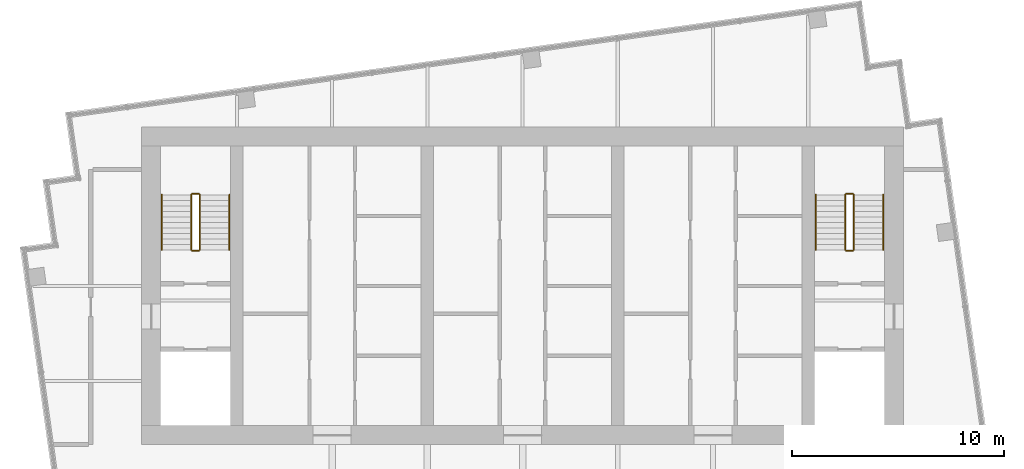
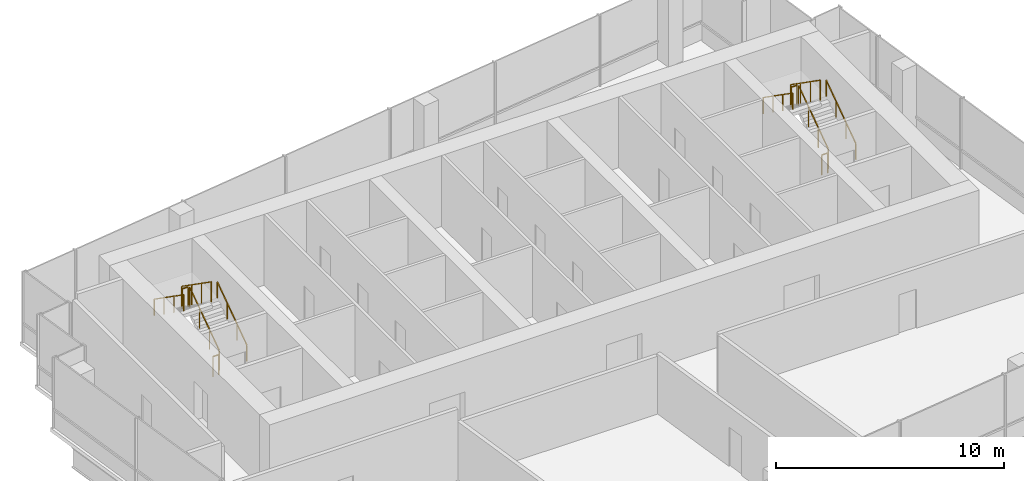
# One storey, part 10 of 10: 12 railings.
"""IFC4 building model written with IfcOpenShell, lengths in metres."""

from ifc_helpers import new_model, si_unit, direction, frame, origin, origin_2d, place, context, subcontext, project, spatial, rectangle, extrude, material, type_object, element, save


model = new_model("IFC4")

# Units and contexts
model_context = context("Model", 3, precision=1e-05, world=origin(), true_north=direction((0.0, 1.0)))
body_context = subcontext(model_context, "Body", "Model", "MODEL_VIEW")
ifc_project = project(units=[si_unit("LENGTHUNIT", "METRE"), si_unit("AREAUNIT", "SQUARE_METRE"), si_unit("VOLUMEUNIT", "CUBIC_METRE"), si_unit("PLANEANGLEUNIT", "RADIAN"), si_unit("MASSUNIT", "GRAM", prefix="KILO")], contexts=[model_context])

# Site, building, storey
site_placement = place(None, origin())
site = spatial("IfcSite", under=ifc_project, at=site_placement, CompositionType="ELEMENT")
building_placement = place(site_placement, origin())
building = spatial("IfcBuilding", under=site, at=building_placement, Name="Rattan Terrace Tower", CompositionType="ELEMENT")
storey_placement = place(building_placement, frame((0.0, 0.0, 300.300048828125)))
storey = spatial("IfcBuildingStorey", under=building, at=storey_placement, Name="C03", CompositionType="ELEMENT", Elevation=300.300048828125)

# Railings
ifc_material_1 = material(Name="Powder-coated steel guard", Category="steel")
railing_type_1 = type_object("IfcRailingType", Name="Core stair guard", PredefinedType="GUARDRAIL", material=ifc_material_1)
railing_1_placement = place(storey_placement, frame((-15.25, 1.699951171875, 0.181884765625)))
element("IfcRailing", 1, at=railing_1_placement, inside=storey, type_object=railing_type_1, Name="C03 S1 stair guard 1", PredefinedType="GUARDRAIL", context=body_context, shape_type="SweptSolid", body=[
    extrude(rectangle(XDim=0.048095703125, YDim=0.048095703125, at=origin_2d()), frame((0.0, 0.0, 1.076171875), z_axis=(0.0, 0.819521025635, 0.573049115296), x_axis=(-1.0, 0.0, 0.0)), (0.0, 0.0, 1.0), 3.172607421875),
    extrude(rectangle(XDim=0.0419921875, YDim=0.0419921875, at=origin_2d()), origin(), (0.0, 0.0, 1.0), 1.052001953125),
    extrude(rectangle(XDim=0.0419921875, YDim=0.0419921875, at=origin_2d()), frame((0.0, 0.86669921875, 0.60595703125)), (0.0, 0.0, 1.0), 1.052001953125),
    extrude(rectangle(XDim=0.0419921875, YDim=0.0419921875, at=origin_2d()), frame((0.0, 1.7333984375, 1.212158203125)), (0.0, 0.0, 1.0), 1.052001953125),
    extrude(rectangle(XDim=0.0419921875, YDim=0.0419921875, at=origin_2d()), frame((0.0, 2.60009765625, 1.818115234375)), (0.0, 0.0, 1.0), 1.052001953125),
])
railing_2_placement = place(storey_placement, frame((-15.300048828125, 4.35009765625, 2.0)))
element("IfcRailing", 2, at=railing_2_placement, inside=storey, type_object=railing_type_1, Name="C03 S1 stair guard 2", PredefinedType="GUARDRAIL", context=body_context, shape_type="SweptSolid", body=[
    extrude(rectangle(XDim=0.048095703125, YDim=0.048095703125, at=origin_2d()), frame((0.0, 0.0, 1.076171875), z_axis=(-1.0, 0.0, 0.0), x_axis=(0.0, -1.0, 0.0)), (0.0, 0.0, 1.0), 0.300048828125),
    extrude(rectangle(XDim=0.0419921875, YDim=0.0419921875, at=origin_2d()), origin(), (0.0, 0.0, 1.0), 1.052001953125),
    extrude(rectangle(XDim=0.0419921875, YDim=0.0419921875, at=origin_2d()), frame((-0.300048828125, 0.0, 0.0)), (0.0, 0.0, 1.0), 1.052001953125),
])
railing_3_placement = place(storey_placement, frame((-15.64990234375, 4.300048828125, 2.181884765625)))
element("IfcRailing", 3, at=railing_3_placement, inside=storey, type_object=railing_type_1, Name="C03 S1 stair guard 3", PredefinedType="GUARDRAIL", context=body_context, shape_type="SweptSolid", body=[
    extrude(rectangle(XDim=0.048095703125, YDim=0.048095703125, at=origin_2d()), frame((0.0, 0.0, 1.076171875), z_axis=(0.0, -0.819521025635, 0.573049115296), x_axis=(1.0, 0.0, 0.0)), (0.0, 0.0, 1.0), 3.172607421875),
    extrude(rectangle(XDim=0.0419921875, YDim=0.0419921875, at=origin_2d()), origin(), (0.0, 0.0, 1.0), 1.052001953125),
    extrude(rectangle(XDim=0.0419921875, YDim=0.0419921875, at=origin_2d()), frame((0.0, -0.86669921875, 0.60595703125)), (0.0, 0.0, 1.0), 1.052001953125),
    extrude(rectangle(XDim=0.0419921875, YDim=0.0419921875, at=origin_2d()), frame((0.0, -1.7333984375, 1.212158203125)), (0.0, 0.0, 1.0), 1.052001953125),
    extrude(rectangle(XDim=0.0419921875, YDim=0.0419921875, at=origin_2d()), frame((0.0, -2.60009765625, 1.818115234375)), (0.0, 0.0, 1.0), 1.052001953125),
])
railing_4_placement = place(storey_placement, frame((-15.300048828125, 1.64990234375, 0.0)))
element("IfcRailing", 4, at=railing_4_placement, inside=storey, type_object=railing_type_1, Name="C03 S1 stair guard 4", PredefinedType="GUARDRAIL", context=body_context, shape_type="SweptSolid", body=[
    extrude(rectangle(XDim=0.048095703125, YDim=0.048095703125, at=origin_2d()), frame((0.0, 0.0, 1.076171875), z_axis=(-1.0, 0.0, 0.0), x_axis=(0.0, -1.0, 0.0)), (0.0, 0.0, 1.0), 0.300048828125),
    extrude(rectangle(XDim=0.0419921875, YDim=0.0419921875, at=origin_2d()), origin(), (0.0, 0.0, 1.0), 1.052001953125),
    extrude(rectangle(XDim=0.0419921875, YDim=0.0419921875, at=origin_2d()), frame((-0.300048828125, 0.0, 0.0)), (0.0, 0.0, 1.0), 1.052001953125),
])
railing_5_placement = place(storey_placement, frame((15.64990234375, 1.699951171875, 0.181884765625)))
element("IfcRailing", 5, at=railing_5_placement, inside=storey, type_object=railing_type_1, Name="C03 S2 stair guard 1", PredefinedType="GUARDRAIL", context=body_context, shape_type="SweptSolid", body=[
    extrude(rectangle(XDim=0.048095703125, YDim=0.048095703125, at=origin_2d()), frame((0.0, 0.0, 1.076171875), z_axis=(0.0, 0.819521025635, 0.573049115296), x_axis=(-1.0, 0.0, 0.0)), (0.0, 0.0, 1.0), 3.172607421875),
    extrude(rectangle(XDim=0.0419921875, YDim=0.0419921875, at=origin_2d()), origin(), (0.0, 0.0, 1.0), 1.052001953125),
    extrude(rectangle(XDim=0.0419921875, YDim=0.0419921875, at=origin_2d()), frame((0.0, 0.86669921875, 0.60595703125)), (0.0, 0.0, 1.0), 1.052001953125),
    extrude(rectangle(XDim=0.0419921875, YDim=0.0419921875, at=origin_2d()), frame((0.0, 1.7333984375, 1.212158203125)), (0.0, 0.0, 1.0), 1.052001953125),
    extrude(rectangle(XDim=0.0419921875, YDim=0.0419921875, at=origin_2d()), frame((0.0, 2.60009765625, 1.818115234375)), (0.0, 0.0, 1.0), 1.052001953125),
])
railing_6_placement = place(storey_placement, frame((15.60009765625, 4.35009765625, 2.0)))
element("IfcRailing", 6, at=railing_6_placement, inside=storey, type_object=railing_type_1, Name="C03 S2 stair guard 2", PredefinedType="GUARDRAIL", context=body_context, shape_type="SweptSolid", body=[
    extrude(rectangle(XDim=0.048095703125, YDim=0.048095703125, at=origin_2d()), frame((0.0, 0.0, 1.076171875), z_axis=(-1.0, 0.0, 0.0), x_axis=(0.0, -1.0, 0.0)), (0.0, 0.0, 1.0), 0.300048828125),
    extrude(rectangle(XDim=0.0419921875, YDim=0.0419921875, at=origin_2d()), origin(), (0.0, 0.0, 1.0), 1.052001953125),
    extrude(rectangle(XDim=0.0419921875, YDim=0.0419921875, at=origin_2d()), frame((-0.300048828125, 0.0, 0.0)), (0.0, 0.0, 1.0), 1.052001953125),
])
railing_7_placement = place(storey_placement, frame((15.25, 4.300048828125, 2.181884765625)))
element("IfcRailing", 7, at=railing_7_placement, inside=storey, type_object=railing_type_1, Name="C03 S2 stair guard 3", PredefinedType="GUARDRAIL", context=body_context, shape_type="SweptSolid", body=[
    extrude(rectangle(XDim=0.048095703125, YDim=0.048095703125, at=origin_2d()), frame((0.0, 0.0, 1.076171875), z_axis=(0.0, -0.819521025635, 0.573049115296), x_axis=(1.0, 0.0, 0.0)), (0.0, 0.0, 1.0), 3.172607421875),
    extrude(rectangle(XDim=0.0419921875, YDim=0.0419921875, at=origin_2d()), origin(), (0.0, 0.0, 1.0), 1.052001953125),
    extrude(rectangle(XDim=0.0419921875, YDim=0.0419921875, at=origin_2d()), frame((0.0, -0.86669921875, 0.60595703125)), (0.0, 0.0, 1.0), 1.052001953125),
    extrude(rectangle(XDim=0.0419921875, YDim=0.0419921875, at=origin_2d()), frame((0.0, -1.7333984375, 1.212158203125)), (0.0, 0.0, 1.0), 1.052001953125),
    extrude(rectangle(XDim=0.0419921875, YDim=0.0419921875, at=origin_2d()), frame((0.0, -2.60009765625, 1.818115234375)), (0.0, 0.0, 1.0), 1.052001953125),
])
railing_8_placement = place(storey_placement, frame((15.60009765625, 1.64990234375, 0.0)))
element("IfcRailing", 8, at=railing_8_placement, inside=storey, type_object=railing_type_1, Name="C03 S2 stair guard 4", PredefinedType="GUARDRAIL", context=body_context, shape_type="SweptSolid", body=[
    extrude(rectangle(XDim=0.048095703125, YDim=0.048095703125, at=origin_2d()), frame((0.0, 0.0, 1.076171875), z_axis=(-1.0, 0.0, 0.0), x_axis=(0.0, -1.0, 0.0)), (0.0, 0.0, 1.0), 0.300048828125),
    extrude(rectangle(XDim=0.0419921875, YDim=0.0419921875, at=origin_2d()), origin(), (0.0, 0.0, 1.0), 1.052001953125),
    extrude(rectangle(XDim=0.0419921875, YDim=0.0419921875, at=origin_2d()), frame((-0.300048828125, 0.0, 0.0)), (0.0, 0.0, 1.0), 1.052001953125),
])
ifc_material_2 = material(Name="Powder-coated steel handrail", Category="steel")
railing_type_2 = type_object("IfcRailingType", Name="Core stair handrail", PredefinedType="HANDRAIL", material=ifc_material_2)
railing_9_placement = place(storey_placement, frame((-13.85009765625, 1.699951171875, 0.181884765625)))
element("IfcRailing", 9, at=railing_9_placement, inside=storey, type_object=railing_type_2, Name="C03 S1 stair handrail 1", PredefinedType="HANDRAIL", context=body_context, shape_type="SweptSolid", body=[
    extrude(rectangle(XDim=0.048095703125, YDim=0.048095703125, at=origin_2d()), frame((0.0, 0.0, 0.8759765625), z_axis=(0.0, 0.819521025635, 0.573049115296), x_axis=(-1.0, 0.0, 0.0)), (0.0, 0.0, 1.0), 3.172607421875),
    extrude(rectangle(XDim=0.0419921875, YDim=0.0419921875, at=origin_2d()), origin(), (0.0, 0.0, 1.0), 0.851806640625),
    extrude(rectangle(XDim=0.0419921875, YDim=0.0419921875, at=origin_2d()), frame((0.0, 0.86669921875, 0.60595703125)), (0.0, 0.0, 1.0), 0.851806640625),
    extrude(rectangle(XDim=0.0419921875, YDim=0.0419921875, at=origin_2d()), frame((0.0, 1.7333984375, 1.212158203125)), (0.0, 0.0, 1.0), 0.851806640625),
    extrude(rectangle(XDim=0.0419921875, YDim=0.0419921875, at=origin_2d()), frame((0.0, 2.60009765625, 1.818115234375)), (0.0, 0.0, 1.0), 0.851806640625),
])
railing_10_placement = place(storey_placement, frame((-17.050048828125, 4.300048828125, 2.181884765625)))
element("IfcRailing", 10, at=railing_10_placement, inside=storey, type_object=railing_type_2, Name="C03 S1 stair handrail 2", PredefinedType="HANDRAIL", context=body_context, shape_type="SweptSolid", body=[
    extrude(rectangle(XDim=0.048095703125, YDim=0.048095703125, at=origin_2d()), frame((0.0, 0.0, 0.8759765625), z_axis=(0.0, -0.819521025635, 0.573049115296), x_axis=(1.0, 0.0, 0.0)), (0.0, 0.0, 1.0), 3.172607421875),
    extrude(rectangle(XDim=0.0419921875, YDim=0.0419921875, at=origin_2d()), origin(), (0.0, 0.0, 1.0), 0.851806640625),
    extrude(rectangle(XDim=0.0419921875, YDim=0.0419921875, at=origin_2d()), frame((0.0, -0.86669921875, 0.60595703125)), (0.0, 0.0, 1.0), 0.851806640625),
    extrude(rectangle(XDim=0.0419921875, YDim=0.0419921875, at=origin_2d()), frame((0.0, -1.7333984375, 1.212158203125)), (0.0, 0.0, 1.0), 0.851806640625),
    extrude(rectangle(XDim=0.0419921875, YDim=0.0419921875, at=origin_2d()), frame((0.0, -2.60009765625, 1.818115234375)), (0.0, 0.0, 1.0), 0.851806640625),
])
railing_11_placement = place(storey_placement, frame((17.050048828125, 1.699951171875, 0.181884765625)))
element("IfcRailing", 11, at=railing_11_placement, inside=storey, type_object=railing_type_2, Name="C03 S2 stair handrail 1", PredefinedType="HANDRAIL", context=body_context, shape_type="SweptSolid", body=[
    extrude(rectangle(XDim=0.048095703125, YDim=0.048095703125, at=origin_2d()), frame((0.0, 0.0, 0.8759765625), z_axis=(0.0, 0.819521025635, 0.573049115296), x_axis=(-1.0, 0.0, 0.0)), (0.0, 0.0, 1.0), 3.172607421875),
    extrude(rectangle(XDim=0.0419921875, YDim=0.0419921875, at=origin_2d()), origin(), (0.0, 0.0, 1.0), 0.851806640625),
    extrude(rectangle(XDim=0.0419921875, YDim=0.0419921875, at=origin_2d()), frame((0.0, 0.86669921875, 0.60595703125)), (0.0, 0.0, 1.0), 0.851806640625),
    extrude(rectangle(XDim=0.0419921875, YDim=0.0419921875, at=origin_2d()), frame((0.0, 1.7333984375, 1.212158203125)), (0.0, 0.0, 1.0), 0.851806640625),
    extrude(rectangle(XDim=0.0419921875, YDim=0.0419921875, at=origin_2d()), frame((0.0, 2.60009765625, 1.818115234375)), (0.0, 0.0, 1.0), 0.851806640625),
])
railing_12_placement = place(storey_placement, frame((13.85009765625, 4.300048828125, 2.181884765625)))
element("IfcRailing", 12, at=railing_12_placement, inside=storey, type_object=railing_type_2, Name="C03 S2 stair handrail 2", PredefinedType="HANDRAIL", context=body_context, shape_type="SweptSolid", body=[
    extrude(rectangle(XDim=0.048095703125, YDim=0.048095703125, at=origin_2d()), frame((0.0, 0.0, 0.8759765625), z_axis=(0.0, -0.819521025635, 0.573049115296), x_axis=(1.0, 0.0, 0.0)), (0.0, 0.0, 1.0), 3.172607421875),
    extrude(rectangle(XDim=0.0419921875, YDim=0.0419921875, at=origin_2d()), origin(), (0.0, 0.0, 1.0), 0.851806640625),
    extrude(rectangle(XDim=0.0419921875, YDim=0.0419921875, at=origin_2d()), frame((0.0, -0.86669921875, 0.60595703125)), (0.0, 0.0, 1.0), 0.851806640625),
    extrude(rectangle(XDim=0.0419921875, YDim=0.0419921875, at=origin_2d()), frame((0.0, -1.7333984375, 1.212158203125)), (0.0, 0.0, 1.0), 0.851806640625),
    extrude(rectangle(XDim=0.0419921875, YDim=0.0419921875, at=origin_2d()), frame((0.0, -2.60009765625, 1.818115234375)), (0.0, 0.0, 1.0), 0.851806640625),
])

save(model, "model.ifc")
